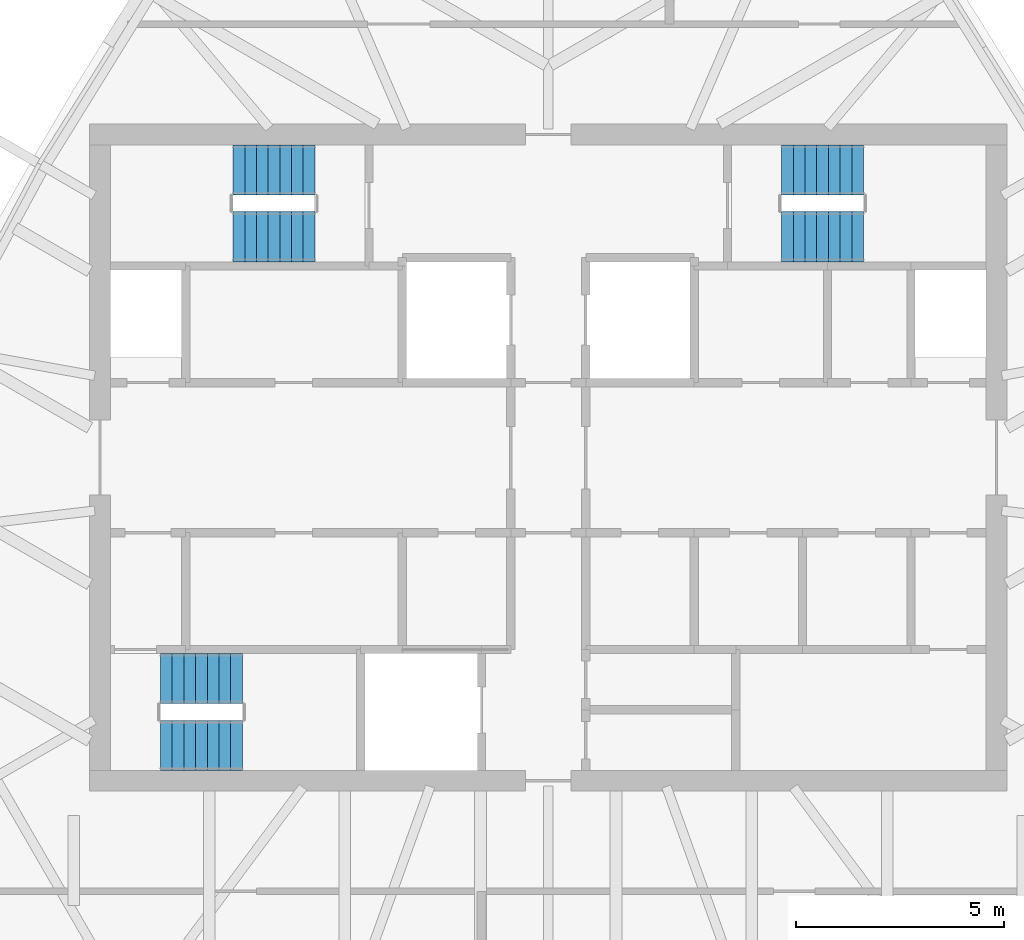
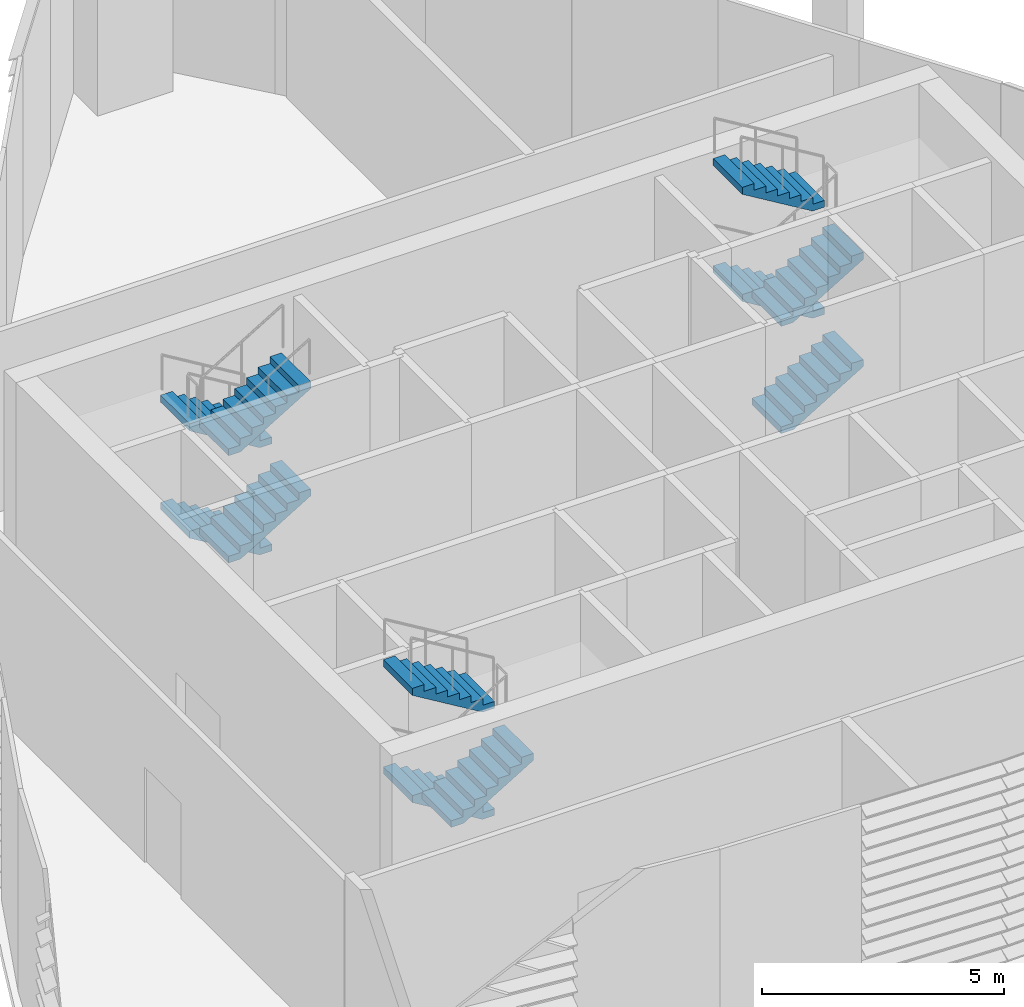
# One storey, part 5 of 8: 11 stair flights, 3 elements without a shape of their own.
"""IFC4 building model written with IfcOpenShell, lengths in metres."""

from ifc_helpers import new_model, si_unit, direction, frame, origin, place, context, subcontext, project, spatial, polyline, outline, extrude, material, type_object, element, aggregate, save


model = new_model("IFC4")

# Units and contexts
model_context = context("Model", 3, precision=1e-05, world=origin(), true_north=direction((0.0, 1.0)))
body_context = subcontext(model_context, "Body", "Model", "MODEL_VIEW")
ifc_project = project(units=[si_unit("LENGTHUNIT", "METRE"), si_unit("AREAUNIT", "SQUARE_METRE"), si_unit("VOLUMEUNIT", "CUBIC_METRE"), si_unit("PLANEANGLEUNIT", "RADIAN"), si_unit("MASSUNIT", "GRAM", prefix="KILO")], contexts=[model_context])

# Site, building, storey
site_placement = place(None, origin())
site = spatial("IfcSite", under=ifc_project, at=site_placement, CompositionType="ELEMENT")
building_placement = place(site_placement, origin())
building = spatial("IfcBuilding", under=site, at=building_placement, Name="Sierra Prisma Convention Tower", CompositionType="ELEMENT")
storey_placement = place(building_placement, frame((0.0, 0.0, 344.800048828125)))
storey = spatial("IfcBuildingStorey", under=building, at=storey_placement, Name="L77", CompositionType="ELEMENT", Elevation=344.800048828125)

# Stair, stair flights
ifc_material_1 = material(Name="Concrete C30/37", Category="concrete")
stair_type = type_object("IfcStairType", Name="Stair dog-leg 1200 RC", PredefinedType="HALF_TURN_STAIR", material=ifc_material_1)
stair_1_placement = place(storey_placement, origin())
stair_1 = element("IfcStair", 1, at=stair_1_placement, inside=storey, type_object=stair_type, Name="L77 S1", PredefinedType="HALF_TURN_STAIR")
ifc_material_2 = material(Name="Concrete C30/37", Category="concrete")
stair_flight_type = type_object("IfcStairFlightType", Name="Stair flight RC 1200", PredefinedType="STRAIGHT", material=ifc_material_2)
stair_flight_1_placement = place(storey_placement, frame((-7.340087890625, -5.300048828125, 1.349853515625), z_axis=(0.0, 0.0, 1.0), x_axis=(-1.0, 0.0, 0.0)))
stair_flight_1 = element("IfcStairFlight", 2, at=stair_flight_1_placement, type_object=stair_flight_type, Name="S1 flight 2", NumberOfRisers=8, NumberOfTreads=7, PredefinedType="STRAIGHT", RiserHeight=0.16875, TreadLength=0.28, context=body_context, shape_type="SweptSolid", body=[
    extrude(outline(polyline([(0.0, 0.0), (0.0, 0.168701171875), (0.280029296875, 0.168701171875), (0.280029296875, 0.33740234375), (0.56005859375, 0.33740234375), (0.56005859375, 0.50634765625), (0.840087890625, 0.50634765625), (0.840087890625, 0.675048828125), (1.1201171875, 0.675048828125), (1.1201171875, 0.84375), (1.39990234375, 0.84375), (1.39990234375, 1.012451171875), (1.679931640625, 1.012451171875), (1.679931640625, 1.18115234375), (1.9599609375, 1.18115234375), (1.9599609375, 1.35009765625), (1.9599609375, 1.00634765625), (0.29052734375, 0.0), (0.0, 0.0)])), frame((0.0, 0.60009765625, 0.0), z_axis=(0.0, -1.0, 0.0), x_axis=(1.0, 0.0, 0.0)), (0.0, 0.0, 1.0), 1.199951171875),
])
stair_flight_2_placement = place(storey_placement, frame((-9.300048828125, -6.89990234375, 2.699951171875), z_axis=(0.0, 0.0, 1.0), x_axis=(1.0, 0.0, 0.0)))
stair_flight_2 = element("IfcStairFlight", 3, at=stair_flight_2_placement, type_object=stair_flight_type, Name="S1 flight 3", NumberOfRisers=8, NumberOfTreads=7, PredefinedType="STRAIGHT", RiserHeight=0.16875, TreadLength=0.28, context=body_context, shape_type="SweptSolid", body=[
    extrude(outline(polyline([(0.0, 0.0), (0.0, 0.168701171875), (0.280029296875, 0.168701171875), (0.280029296875, 0.33740234375), (0.56005859375, 0.33740234375), (0.56005859375, 0.50634765625), (0.840087890625, 0.50634765625), (0.840087890625, 0.675048828125), (1.1201171875, 0.675048828125), (1.1201171875, 0.84375), (1.39990234375, 0.84375), (1.39990234375, 1.012451171875), (1.679931640625, 1.012451171875), (1.679931640625, 1.18115234375), (1.9599609375, 1.18115234375), (1.9599609375, 1.35009765625), (1.9599609375, 1.00634765625), (0.29052734375, 0.0), (0.0, 0.0)])), frame((0.0, 0.60009765625, 0.0), z_axis=(0.0, -1.0, 0.0), x_axis=(1.0, 0.0, 0.0)), (0.0, 0.0, 1.0), 1.199951171875),
])
stair_flight_3_placement = place(storey_placement, frame((-7.340087890625, -5.300048828125, 4.050048828125), z_axis=(0.0, 0.0, 1.0), x_axis=(-1.0, 0.0, 0.0)))
stair_flight_3 = element("IfcStairFlight", 4, at=stair_flight_3_placement, type_object=stair_flight_type, Name="S1 flight 4", NumberOfRisers=8, NumberOfTreads=7, PredefinedType="STRAIGHT", RiserHeight=0.16875, TreadLength=0.28, context=body_context, shape_type="SweptSolid", body=[
    extrude(outline(polyline([(0.0, 0.0), (0.0, 0.168701171875), (0.280029296875, 0.168701171875), (0.280029296875, 0.33740234375), (0.56005859375, 0.33740234375), (0.56005859375, 0.50634765625), (0.840087890625, 0.50634765625), (0.840087890625, 0.675048828125), (1.1201171875, 0.675048828125), (1.1201171875, 0.84375), (1.39990234375, 0.84375), (1.39990234375, 1.012451171875), (1.679931640625, 1.012451171875), (1.679931640625, 1.18115234375), (1.9599609375, 1.18115234375), (1.9599609375, 1.35009765625), (1.9599609375, 1.00634765625), (0.29052734375, 0.0), (0.0, 0.0)])), frame((0.0, 0.60009765625, 0.0), z_axis=(0.0, -1.0, 0.0), x_axis=(1.0, 0.0, 0.0)), (0.0, 0.0, 1.0), 1.199951171875),
])
aggregate(stair_1, [stair_flight_1, stair_flight_2, stair_flight_3])

stair_2_placement = place(storey_placement, origin())
stair_2 = element("IfcStair", 5, at=stair_2_placement, inside=storey, type_object=stair_type, Name="L77 S3", PredefinedType="HALF_TURN_STAIR")
stair_flight_4_placement = place(storey_placement, frame((-5.60009765625, 6.89990234375, 0.0), z_axis=(0.0, 0.0, 1.0), x_axis=(-1.0, 0.0, 0.0)))
stair_flight_4 = element("IfcStairFlight", 6, at=stair_flight_4_placement, type_object=stair_flight_type, Name="S3 flight 1", NumberOfRisers=8, NumberOfTreads=7, PredefinedType="STRAIGHT", RiserHeight=0.16875, TreadLength=0.28, context=body_context, shape_type="SweptSolid", body=[
    extrude(outline(polyline([(0.0, 0.0), (0.0, 0.168701171875), (0.280029296875, 0.168701171875), (0.280029296875, 0.33740234375), (0.56005859375, 0.33740234375), (0.56005859375, 0.50634765625), (0.840087890625, 0.50634765625), (0.840087890625, 0.675048828125), (1.1201171875, 0.675048828125), (1.1201171875, 0.84375), (1.39990234375, 0.84375), (1.39990234375, 1.012451171875), (1.679931640625, 1.012451171875), (1.679931640625, 1.18115234375), (1.9599609375, 1.18115234375), (1.9599609375, 1.35009765625), (1.9599609375, 1.00634765625), (0.29052734375, 0.0), (0.0, 0.0)])), frame((0.0, 0.60009765625, 0.0), z_axis=(0.0, -1.0, 0.0), x_axis=(1.0, 0.0, 0.0)), (0.0, 0.0, 1.0), 1.199951171875),
])
stair_flight_5_placement = place(storey_placement, frame((-7.56005859375, 5.300048828125, 1.349853515625), z_axis=(0.0, 0.0, 1.0), x_axis=(1.0, 0.0, 0.0)))
stair_flight_5 = element("IfcStairFlight", 7, at=stair_flight_5_placement, type_object=stair_flight_type, Name="S3 flight 2", NumberOfRisers=8, NumberOfTreads=7, PredefinedType="STRAIGHT", RiserHeight=0.16875, TreadLength=0.28, context=body_context, shape_type="SweptSolid", body=[
    extrude(outline(polyline([(0.0, 0.0), (0.0, 0.168701171875), (0.280029296875, 0.168701171875), (0.280029296875, 0.33740234375), (0.56005859375, 0.33740234375), (0.56005859375, 0.50634765625), (0.840087890625, 0.50634765625), (0.840087890625, 0.675048828125), (1.1201171875, 0.675048828125), (1.1201171875, 0.84375), (1.39990234375, 0.84375), (1.39990234375, 1.012451171875), (1.679931640625, 1.012451171875), (1.679931640625, 1.18115234375), (1.9599609375, 1.18115234375), (1.9599609375, 1.35009765625), (1.9599609375, 1.00634765625), (0.29052734375, 0.0), (0.0, 0.0)])), frame((0.0, 0.60009765625, 0.0), z_axis=(0.0, -1.0, 0.0), x_axis=(1.0, 0.0, 0.0)), (0.0, 0.0, 1.0), 1.199951171875),
])
stair_flight_6_placement = place(storey_placement, frame((-5.60009765625, 6.89990234375, 2.699951171875), z_axis=(0.0, 0.0, 1.0), x_axis=(-1.0, 0.0, 0.0)))
stair_flight_6 = element("IfcStairFlight", 8, at=stair_flight_6_placement, type_object=stair_flight_type, Name="S3 flight 3", NumberOfRisers=8, NumberOfTreads=7, PredefinedType="STRAIGHT", RiserHeight=0.16875, TreadLength=0.28, context=body_context, shape_type="SweptSolid", body=[
    extrude(outline(polyline([(0.0, 0.0), (0.0, 0.168701171875), (0.280029296875, 0.168701171875), (0.280029296875, 0.33740234375), (0.56005859375, 0.33740234375), (0.56005859375, 0.50634765625), (0.840087890625, 0.50634765625), (0.840087890625, 0.675048828125), (1.1201171875, 0.675048828125), (1.1201171875, 0.84375), (1.39990234375, 0.84375), (1.39990234375, 1.012451171875), (1.679931640625, 1.012451171875), (1.679931640625, 1.18115234375), (1.9599609375, 1.18115234375), (1.9599609375, 1.35009765625), (1.9599609375, 1.00634765625), (0.29052734375, 0.0), (0.0, 0.0)])), frame((0.0, 0.60009765625, 0.0), z_axis=(0.0, -1.0, 0.0), x_axis=(1.0, 0.0, 0.0)), (0.0, 0.0, 1.0), 1.199951171875),
])
stair_flight_7_placement = place(storey_placement, frame((-7.56005859375, 5.300048828125, 4.050048828125), z_axis=(0.0, 0.0, 1.0), x_axis=(1.0, 0.0, 0.0)))
stair_flight_7 = element("IfcStairFlight", 9, at=stair_flight_7_placement, type_object=stair_flight_type, Name="S3 flight 4", NumberOfRisers=8, NumberOfTreads=7, PredefinedType="STRAIGHT", RiserHeight=0.16875, TreadLength=0.28, context=body_context, shape_type="SweptSolid", body=[
    extrude(outline(polyline([(0.0, 0.0), (0.0, 0.168701171875), (0.280029296875, 0.168701171875), (0.280029296875, 0.33740234375), (0.56005859375, 0.33740234375), (0.56005859375, 0.50634765625), (0.840087890625, 0.50634765625), (0.840087890625, 0.675048828125), (1.1201171875, 0.675048828125), (1.1201171875, 0.84375), (1.39990234375, 0.84375), (1.39990234375, 1.012451171875), (1.679931640625, 1.012451171875), (1.679931640625, 1.18115234375), (1.9599609375, 1.18115234375), (1.9599609375, 1.35009765625), (1.9599609375, 1.00634765625), (0.29052734375, 0.0), (0.0, 0.0)])), frame((0.0, 0.60009765625, 0.0), z_axis=(0.0, -1.0, 0.0), x_axis=(1.0, 0.0, 0.0)), (0.0, 0.0, 1.0), 1.199951171875),
])
aggregate(stair_2, [stair_flight_4, stair_flight_5, stair_flight_6, stair_flight_7])

stair_3_placement = place(storey_placement, origin())
stair_3 = element("IfcStair", 10, at=stair_3_placement, inside=storey, type_object=stair_type, Name="L77 S4", PredefinedType="HALF_TURN_STAIR")
stair_flight_8_placement = place(storey_placement, frame((5.60009765625, 5.300048828125, 0.0), z_axis=(0.0, 0.0, 1.0), x_axis=(1.0, 0.0, 0.0)))
stair_flight_8 = element("IfcStairFlight", 11, at=stair_flight_8_placement, type_object=stair_flight_type, Name="S4 flight 1", NumberOfRisers=8, NumberOfTreads=7, PredefinedType="STRAIGHT", RiserHeight=0.16875, TreadLength=0.28, context=body_context, shape_type="SweptSolid", body=[
    extrude(outline(polyline([(0.0, 0.0), (0.0, 0.168701171875), (0.280029296875, 0.168701171875), (0.280029296875, 0.33740234375), (0.56005859375, 0.33740234375), (0.56005859375, 0.50634765625), (0.840087890625, 0.50634765625), (0.840087890625, 0.675048828125), (1.1201171875, 0.675048828125), (1.1201171875, 0.84375), (1.39990234375, 0.84375), (1.39990234375, 1.012451171875), (1.679931640625, 1.012451171875), (1.679931640625, 1.18115234375), (1.9599609375, 1.18115234375), (1.9599609375, 1.35009765625), (1.9599609375, 1.00634765625), (0.29052734375, 0.0), (0.0, 0.0)])), frame((0.0, 0.60009765625, 0.0), z_axis=(0.0, -1.0, 0.0), x_axis=(1.0, 0.0, 0.0)), (0.0, 0.0, 1.0), 1.199951171875),
])
stair_flight_9_placement = place(storey_placement, frame((7.56005859375, 6.89990234375, 1.349853515625), z_axis=(0.0, 0.0, 1.0), x_axis=(-1.0, 0.0, 0.0)))
stair_flight_9 = element("IfcStairFlight", 12, at=stair_flight_9_placement, type_object=stair_flight_type, Name="S4 flight 2", NumberOfRisers=8, NumberOfTreads=7, PredefinedType="STRAIGHT", RiserHeight=0.16875, TreadLength=0.28, context=body_context, shape_type="SweptSolid", body=[
    extrude(outline(polyline([(0.0, 0.0), (0.0, 0.168701171875), (0.280029296875, 0.168701171875), (0.280029296875, 0.33740234375), (0.56005859375, 0.33740234375), (0.56005859375, 0.50634765625), (0.840087890625, 0.50634765625), (0.840087890625, 0.675048828125), (1.1201171875, 0.675048828125), (1.1201171875, 0.84375), (1.39990234375, 0.84375), (1.39990234375, 1.012451171875), (1.679931640625, 1.012451171875), (1.679931640625, 1.18115234375), (1.9599609375, 1.18115234375), (1.9599609375, 1.35009765625), (1.9599609375, 1.00634765625), (0.29052734375, 0.0), (0.0, 0.0)])), frame((0.0, 0.60009765625, 0.0), z_axis=(0.0, -1.0, 0.0), x_axis=(1.0, 0.0, 0.0)), (0.0, 0.0, 1.0), 1.199951171875),
])
stair_flight_10_placement = place(storey_placement, frame((5.60009765625, 5.300048828125, 2.699951171875), z_axis=(0.0, 0.0, 1.0), x_axis=(1.0, 0.0, 0.0)))
stair_flight_10 = element("IfcStairFlight", 13, at=stair_flight_10_placement, type_object=stair_flight_type, Name="S4 flight 3", NumberOfRisers=8, NumberOfTreads=7, PredefinedType="STRAIGHT", RiserHeight=0.16875, TreadLength=0.28, context=body_context, shape_type="SweptSolid", body=[
    extrude(outline(polyline([(0.0, 0.0), (0.0, 0.168701171875), (0.280029296875, 0.168701171875), (0.280029296875, 0.33740234375), (0.56005859375, 0.33740234375), (0.56005859375, 0.50634765625), (0.840087890625, 0.50634765625), (0.840087890625, 0.675048828125), (1.1201171875, 0.675048828125), (1.1201171875, 0.84375), (1.39990234375, 0.84375), (1.39990234375, 1.012451171875), (1.679931640625, 1.012451171875), (1.679931640625, 1.18115234375), (1.9599609375, 1.18115234375), (1.9599609375, 1.35009765625), (1.9599609375, 1.00634765625), (0.29052734375, 0.0), (0.0, 0.0)])), frame((0.0, 0.60009765625, 0.0), z_axis=(0.0, -1.0, 0.0), x_axis=(1.0, 0.0, 0.0)), (0.0, 0.0, 1.0), 1.199951171875),
])
stair_flight_11_placement = place(storey_placement, frame((7.56005859375, 6.89990234375, 4.050048828125), z_axis=(0.0, 0.0, 1.0), x_axis=(-1.0, 0.0, 0.0)))
stair_flight_11 = element("IfcStairFlight", 14, at=stair_flight_11_placement, type_object=stair_flight_type, Name="S4 flight 4", NumberOfRisers=8, NumberOfTreads=7, PredefinedType="STRAIGHT", RiserHeight=0.16875, TreadLength=0.28, context=body_context, shape_type="SweptSolid", body=[
    extrude(outline(polyline([(0.0, 0.0), (0.0, 0.168701171875), (0.280029296875, 0.168701171875), (0.280029296875, 0.33740234375), (0.56005859375, 0.33740234375), (0.56005859375, 0.50634765625), (0.840087890625, 0.50634765625), (0.840087890625, 0.675048828125), (1.1201171875, 0.675048828125), (1.1201171875, 0.84375), (1.39990234375, 0.84375), (1.39990234375, 1.012451171875), (1.679931640625, 1.012451171875), (1.679931640625, 1.18115234375), (1.9599609375, 1.18115234375), (1.9599609375, 1.35009765625), (1.9599609375, 1.00634765625), (0.29052734375, 0.0), (0.0, 0.0)])), frame((0.0, 0.60009765625, 0.0), z_axis=(0.0, -1.0, 0.0), x_axis=(1.0, 0.0, 0.0)), (0.0, 0.0, 1.0), 1.199951171875),
])
aggregate(stair_3, [stair_flight_8, stair_flight_9, stair_flight_10, stair_flight_11])

save(model, "model.ifc")
